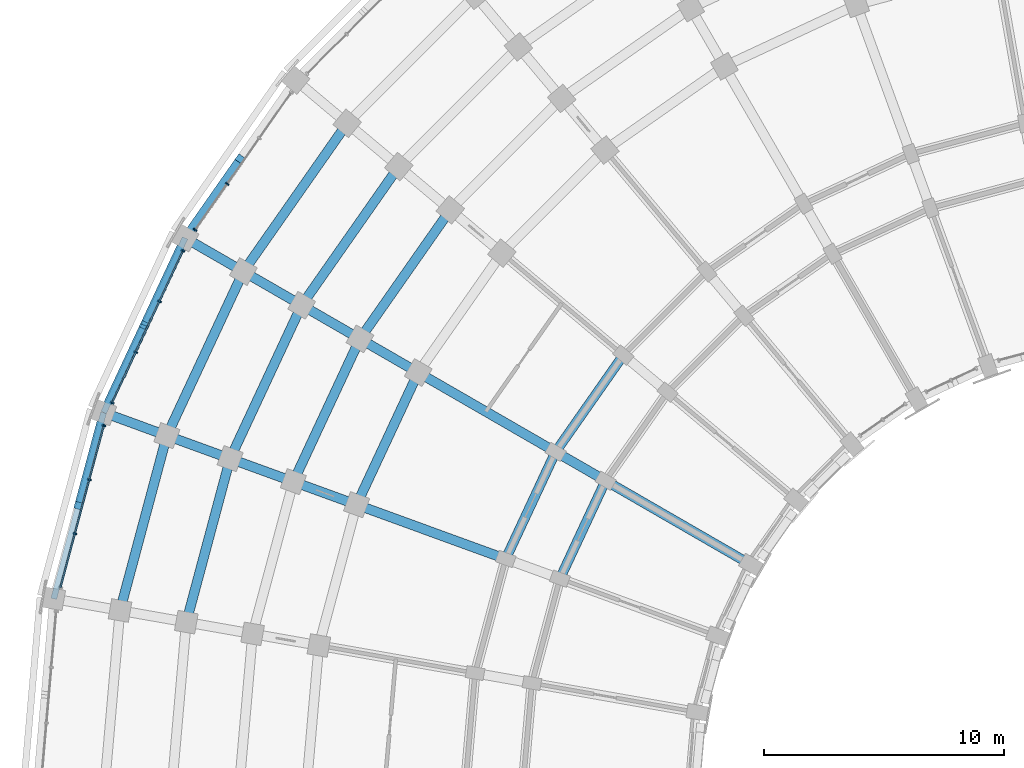
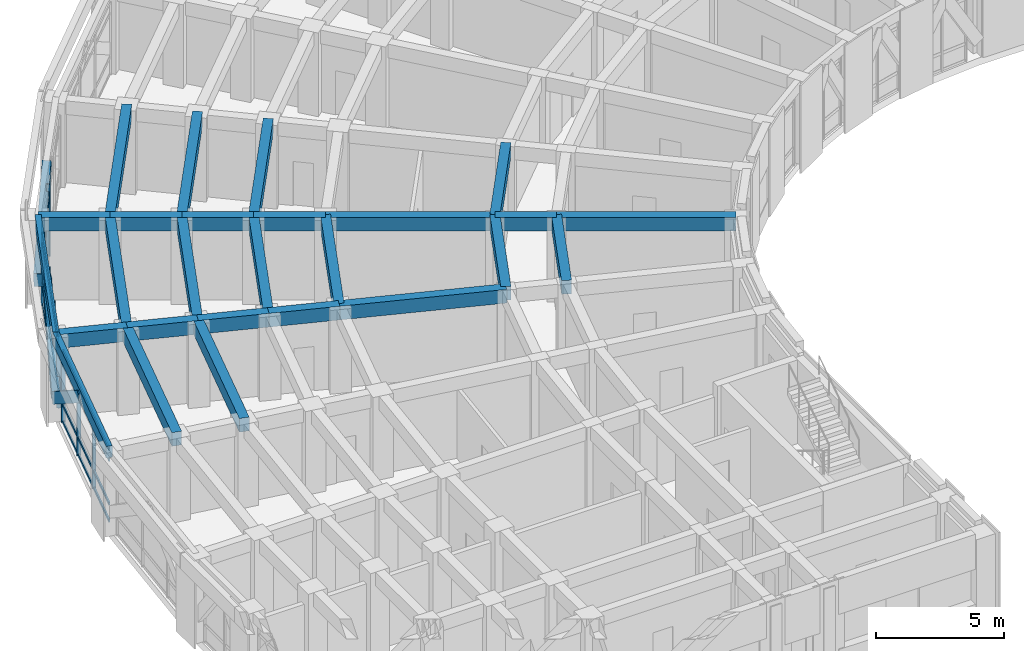
# One storey, part 21 of 97: 30 beams, 17 members, 3 elements without a shape of their own.
"""IFC4 building model written with IfcOpenShell, lengths in metres."""

from ifc_helpers import new_model, si_unit, direction, frame, origin, origin_2d, place, context, subcontext, project, spatial, rectangle, extrude, material, material_profile, profile_set, type_object, element, aggregate, save


model = new_model("IFC4")

# Units and contexts
model_context = context("Model", 3, precision=1e-05, world=origin(), true_north=direction((0.0, 1.0)))
body_context = subcontext(model_context, "Body", "Model", "MODEL_VIEW")
ifc_project = project(units=[si_unit("LENGTHUNIT", "METRE"), si_unit("AREAUNIT", "SQUARE_METRE"), si_unit("VOLUMEUNIT", "CUBIC_METRE"), si_unit("PLANEANGLEUNIT", "RADIAN"), si_unit("MASSUNIT", "GRAM", prefix="KILO")], contexts=[model_context])

# Site, building, storey
site_placement = place(None, origin())
site = spatial("IfcSite", under=ifc_project, at=site_placement, CompositionType="ELEMENT")
building_placement = place(site_placement, origin())
building = spatial("IfcBuilding", under=site, at=building_placement, Name="Kiranvali Square Residences", CompositionType="ELEMENT")
storey_placement = place(building_placement, frame((0.0, 0.0, 4.5)))
storey = spatial("IfcBuildingStorey", under=building, at=storey_placement, Name="L01", CompositionType="ELEMENT", Elevation=4.5)

# Beams
ifc_material_1 = material(Name="Concrete M40 (40 MPa)", Category="concrete")
ifc_material_profile_1 = material_profile(ifc_material_1, rectangle(XDim=0.35009765625, YDim=0.5, at=origin_2d()), Name="RC 350x500")
ifc_profile_set_1 = profile_set([ifc_material_profile_1], Name="Concrete M40 (40 MPa)")
beam_type_1 = type_object("IfcBeamType", Name="AR-M40-350x500", PredefinedType="USERDEFINED", material=ifc_profile_set_1)
beam_1_placement = place(storey_placement, frame((10.662353515625, 114.084228515625, 3.64990234375), z_axis=(-0.47146348297, -0.673345915945, -0.569497551975), x_axis=(0.819162563309, -0.57356141334, 0.0)))
element("IfcBeam", 1, at=beam_1_placement, inside=storey, type_object=beam_type_1, Name="Classical pointed Ottoman arch rib ARCH-A-CRV-7-05.2", ObjectType="ARCH RIB", PredefinedType="USERDEFINED", context=body_context, shape_type="SweptSolid", body=[
    extrude(rectangle(XDim=0.35009765625, YDim=0.5, at=origin_2d()), origin(), (0.0, 0.0, 1.0), 4.828857421875),
])
beam_2_placement = place(storey_placement, frame((8.345947265625, 110.763671875, 0.89990234375), z_axis=(-0.347401853205, -0.744959817365, 0.56951455021), x_axis=(0.906297821759, -0.422639631689, 0.0)))
element("IfcBeam", 2, at=beam_2_placement, inside=storey, type_object=beam_type_1, Name="Classical pointed Ottoman arch rib ARCH-A-CRV-7-06.1", ObjectType="ARCH RIB", PredefinedType="USERDEFINED", context=body_context, shape_type="SweptSolid", body=[
    extrude(rectangle(XDim=0.35009765625, YDim=0.5, at=origin_2d()), origin(), (0.0, 0.0, 1.0), 4.82861328125),
])
for number, where, z_axis, x_axis, name in (
    (3, (6.66845703125, 107.16650390625, 3.64990234375), (-0.347388768396, -0.744982317322, -0.56949309958), (0.906308808134, -0.422616071984, 0.0), "Classical pointed Ottoman arch rib ARCH-A-CRV-7-06.2"),
    (4, (4.9638671875, 103.494384765625, 0.89990234375), (-0.212753144827, -0.793981793339, 0.56949891239), (0.965923890569, -0.2588262692, 0.0), "Classical pointed Ottoman arch rib ARCH-A-CRV-7-07.1"),
):
    element("IfcBeam", number, at=place(storey_placement, frame(where, z_axis=z_axis, x_axis=x_axis)), inside=storey, type_object=beam_type_1, Name=name, ObjectType="ARCH RIB", PredefinedType="USERDEFINED", context=body_context, shape_type="SweptSolid", body=[
        extrude(rectangle(XDim=0.35009765625, YDim=0.5, at=origin_2d()), origin(), (0.0, 0.0, 1.0), 4.828857421875),
    ])
ifc_material_2 = material(Name="Concrete M45 (45 MPa)", Category="concrete")
ifc_material_profile_2 = material_profile(ifc_material_2, rectangle(XDim=0.39990234375, YDim=0.64990234375, at=origin_2d()), Name="RC 400x650")
ifc_profile_set_2 = profile_set([ifc_material_profile_2], Name="Concrete M45 (45 MPa)")
beam_type_2 = type_object("IfcBeamType", Name="BM-M45-400x650", PredefinedType="BEAM", material=ifc_profile_set_2)
beam_3_placement = place(storey_placement, frame((26.59765625, 105.926513671875, 3.655029296875), z_axis=(-0.573592335331, -0.819140911474, 0.0), x_axis=(0.819140911474, -0.573592335331, 0.0)))
element("IfcBeam", 5, at=beam_3_placement, inside=storey, type_object=beam_type_2, Name="L01 beam BM-A-L01-C05-R2", PredefinedType="BEAM", context=body_context, shape_type="SweptSolid", body=[
    extrude(rectangle(XDim=0.39990234375, YDim=0.64990234375, at=origin_2d()), origin(), (0.0, 0.0, 1.0), 4.915771484375),
])
beam_4_placement = place(storey_placement, frame((19.396728515625, 111.96875, 3.655029296875), z_axis=(-0.573587340268, -0.819144409176, 0.0), x_axis=(0.819144409176, -0.573587340268, 0.0)))
element("IfcBeam", 6, at=beam_4_placement, inside=storey, type_object=beam_type_2, Name="L01 beam BM-A-L01-C05-R4", PredefinedType="BEAM", context=body_context, shape_type="SweptSolid", body=[
    extrude(rectangle(XDim=0.39990234375, YDim=0.64990234375, at=origin_2d()), origin(), (0.0, 0.0, 1.0), 6.553955078125),
])
beam_5_placement = place(storey_placement, frame((17.251708984375, 113.7685546875, 3.655029296875), z_axis=(-0.57356471828, -0.819160249246, 0.0), x_axis=(0.819160249246, -0.57356471828, 0.0)))
element("IfcBeam", 7, at=beam_5_placement, inside=storey, type_object=beam_type_2, Name="L01 beam BM-A-L01-C05-R5", PredefinedType="BEAM", context=body_context, shape_type="SweptSolid", body=[
    extrude(rectangle(XDim=0.39990234375, YDim=0.64990234375, at=origin_2d()), origin(), (0.0, 0.0, 1.0), 7.0419921875),
])
beam_6_placement = place(storey_placement, frame((15.10693359375, 115.568359375, 3.655029296875), z_axis=(-0.573588539275, -0.819143569597, 0.0), x_axis=(0.819143569597, -0.573588539275, 0.0)))
element("IfcBeam", 8, at=beam_6_placement, inside=storey, type_object=beam_type_2, Name="L01 beam BM-A-L01-C05-R6", PredefinedType="BEAM", context=body_context, shape_type="SweptSolid", body=[
    extrude(rectangle(XDim=0.39990234375, YDim=0.64990234375, at=origin_2d()), origin(), (0.0, 0.0, 1.0), 7.5302734375),
])
beam_7_placement = place(storey_placement, frame((25.8564453125, 100.699951171875, 3.655029296875), z_axis=(-0.422617978463, -0.906307919131, 0.0), x_axis=(0.906307919131, -0.422617978463, 0.0)))
element("IfcBeam", 9, at=beam_7_placement, inside=storey, type_object=beam_type_2, Name="L01 beam BM-A-L01-C06-R1", PredefinedType="BEAM", context=body_context, shape_type="SweptSolid", body=[
    extrude(rectangle(XDim=0.39990234375, YDim=0.64990234375, at=origin_2d()), origin(), (0.0, 0.0, 1.0), 4.497314453125),
])
beam_8_placement = place(storey_placement, frame((23.778076171875, 101.89990234375, 3.655029296875), z_axis=(-0.422629854778, -0.906302381024, 0.0), x_axis=(0.906302381024, -0.422629854778, 0.0)))
element("IfcBeam", 10, at=beam_8_placement, inside=storey, type_object=beam_type_2, Name="L01 beam BM-A-L01-C06-R2", PredefinedType="BEAM", context=body_context, shape_type="SweptSolid", body=[
    extrude(rectangle(XDim=0.39990234375, YDim=0.64990234375, at=origin_2d()), origin(), (0.0, 0.0, 1.0), 4.915283203125),
])
beam_9_placement = place(storey_placement, frame((18.062255859375, 105.199951171875, 3.655029296875), z_axis=(-0.42260781991, -0.906312656069, 0.0), x_axis=(0.906312656069, -0.42260781991, 0.0)))
element("IfcBeam", 11, at=beam_9_placement, inside=storey, type_object=beam_type_2, Name="L01 beam BM-A-L01-C06-R3", PredefinedType="BEAM", context=body_context, shape_type="SweptSolid", body=[
    extrude(rectangle(XDim=0.39990234375, YDim=0.64990234375, at=origin_2d()), origin(), (0.0, 0.0, 1.0), 6.06591796875),
])
beam_10_placement = place(storey_placement, frame((15.637451171875, 106.60009765625, 3.655029296875), z_axis=(-0.422595876255, -0.906318225223, 0.0), x_axis=(0.906318225223, -0.422595876255, 0.0)))
element("IfcBeam", 12, at=beam_10_placement, inside=storey, type_object=beam_type_2, Name="L01 beam BM-A-L01-C06-R4", PredefinedType="BEAM", context=body_context, shape_type="SweptSolid", body=[
    extrude(rectangle(XDim=0.39990234375, YDim=0.64990234375, at=origin_2d()), origin(), (0.0, 0.0, 1.0), 6.55419921875),
])
beam_11_placement = place(storey_placement, frame((13.212646484375, 108.0, 3.655029296875), z_axis=(-0.422640621205, -0.906297360311, 0.0), x_axis=(0.906297360311, -0.422640621205, 0.0)))
element("IfcBeam", 13, at=beam_11_placement, inside=storey, type_object=beam_type_2, Name="L01 beam BM-A-L01-C06-R5", PredefinedType="BEAM", context=body_context, shape_type="SweptSolid", body=[
    extrude(rectangle(XDim=0.39990234375, YDim=0.64990234375, at=origin_2d()), origin(), (0.0, 0.0, 1.0), 7.042236328125),
])
beam_12_placement = place(storey_placement, frame((10.78759765625, 109.39990234375, 3.655029296875), z_axis=(-0.422613886933, -0.90630982703, 0.0), x_axis=(0.90630982703, -0.422613886933, 0.0)))
element("IfcBeam", 14, at=beam_12_placement, inside=storey, type_object=beam_type_2, Name="L01 beam BM-A-L01-C06-R6", PredefinedType="BEAM", context=body_context, shape_type="SweptSolid", body=[
    extrude(rectangle(XDim=0.39990234375, YDim=0.64990234375, at=origin_2d()), origin(), (0.0, 0.0, 1.0), 7.5302734375),
])
beam_13_placement = place(storey_placement, frame((10.236328125, 101.61767578125, 3.655029296875), z_axis=(-0.258799624492, -0.965931029817, 0.0), x_axis=(0.965931029817, -0.258799624492, 0.0)))
element("IfcBeam", 15, at=beam_13_placement, inside=storey, type_object=beam_type_2, Name="L01 beam BM-A-L01-C07-R5", PredefinedType="BEAM", context=body_context, shape_type="SweptSolid", body=[
    extrude(rectangle(XDim=0.39990234375, YDim=0.64990234375, at=origin_2d()), origin(), (0.0, 0.0, 1.0), 7.042236328125),
])
beam_14_placement = place(storey_placement, frame((7.605224609375, 102.5751953125, 3.655029296875), z_axis=(-0.258818733833, -0.965925909693, 0.0), x_axis=(0.965925909693, -0.258818733833, 0.0)))
element("IfcBeam", 16, at=beam_14_placement, inside=storey, type_object=beam_type_2, Name="L01 beam BM-A-L01-C07-R6", PredefinedType="BEAM", context=body_context, shape_type="SweptSolid", body=[
    extrude(rectangle(XDim=0.39990234375, YDim=0.64990234375, at=origin_2d()), origin(), (0.0, 0.0, 1.0), 7.5302734375),
])
beam_15_placement = place(storey_placement, frame((31.918701171875, 97.199951171875, 3.655029296875), z_axis=(-0.866028190633, 0.499995173006, 0.0), x_axis=(-0.499995173006, -0.866028190633, 0.0)))
element("IfcBeam", 17, at=beam_15_placement, inside=storey, type_object=beam_type_2, Name="L01 beam BM-A-L01-RAD06-01", PredefinedType="BEAM", context=body_context, shape_type="SweptSolid", body=[
    extrude(rectangle(XDim=0.39990234375, YDim=0.64990234375, at=origin_2d()), origin(), (0.0, 0.0, 1.0), 7.0),
])
beam_16_placement = place(storey_placement, frame((25.8564453125, 100.699951171875, 3.655029296875), z_axis=(-0.866024647952, 0.500001309137, 0.0), x_axis=(-0.500001309137, -0.866024647952, 0.0)))
element("IfcBeam", 18, at=beam_16_placement, inside=storey, type_object=beam_type_2, Name="L01 beam BM-A-L01-RAD06-12", PredefinedType="BEAM", context=body_context, shape_type="SweptSolid", body=[
    extrude(rectangle(XDim=0.39990234375, YDim=0.64990234375, at=origin_2d()), origin(), (0.0, 0.0, 1.0), 2.39990234375),
])
beam_17_placement = place(storey_placement, frame((23.778076171875, 101.89990234375, 3.655029296875), z_axis=(-0.866024194504, 0.500002094529, 0.0), x_axis=(-0.500002094529, -0.866024194504, 0.0)))
element("IfcBeam", 19, at=beam_17_placement, inside=storey, type_object=beam_type_2, Name="L01 beam BM-A-L01-RAD06-23", PredefinedType="BEAM", context=body_context, shape_type="SweptSolid", body=[
    extrude(rectangle(XDim=0.39990234375, YDim=0.64990234375, at=origin_2d()), origin(), (0.0, 0.0, 1.0), 6.60009765625),
])
beam_18_placement = place(storey_placement, frame((18.062255859375, 105.199951171875, 3.655029296875), z_axis=(-0.865996816683, 0.500049511043, 0.0), x_axis=(-0.500049511043, -0.865996816683, 0.0)))
element("IfcBeam", 20, at=beam_18_placement, inside=storey, type_object=beam_type_2, Name="L01 beam BM-A-L01-RAD06-34", PredefinedType="BEAM", context=body_context, shape_type="SweptSolid", body=[
    extrude(rectangle(XDim=0.39990234375, YDim=0.64990234375, at=origin_2d()), origin(), (0.0, 0.0, 1.0), 2.800048828125),
])
beam_19_placement = place(storey_placement, frame((15.637451171875, 106.60009765625, 3.655029296875), z_axis=(-0.866034573852, 0.49998411664, 0.0), x_axis=(-0.49998411664, -0.866034573852, 0.0)))
element("IfcBeam", 21, at=beam_19_placement, inside=storey, type_object=beam_type_2, Name="L01 beam BM-A-L01-RAD06-45", PredefinedType="BEAM", context=body_context, shape_type="SweptSolid", body=[
    extrude(rectangle(XDim=0.39990234375, YDim=0.64990234375, at=origin_2d()), origin(), (0.0, 0.0, 1.0), 2.7998046875),
])
for number, where, z_axis, x_axis, name in (
    (22, (13.212646484375, 108.0, 3.655029296875), (-0.866056369097, 0.49994636267, 0.0), (-0.49994636267, -0.866056369097, 0.0), "L01 beam BM-A-L01-RAD06-56"),
    (23, (10.78759765625, 109.39990234375, 3.655029296875), (-0.865996816683, 0.500049511043, 0.0), (-0.500049511043, -0.865996816683, 0.0), "L01 beam BM-A-L01-RAD06-67"),
):
    element("IfcBeam", number, at=place(storey_placement, frame(where, z_axis=z_axis, x_axis=x_axis)), inside=storey, type_object=beam_type_2, Name=name, PredefinedType="BEAM", context=body_context, shape_type="SweptSolid", body=[
        extrude(rectangle(XDim=0.39990234375, YDim=0.64990234375, at=origin_2d()), origin(), (0.0, 0.0, 1.0), 2.800048828125),
    ])
beam_20_placement = place(storey_placement, frame((21.70068359375, 97.445068359375, 3.655029296875), z_axis=(-0.939691858249, 0.342022238372, 0.0), x_axis=(-0.342022238372, -0.939691858249, 0.0)))
element("IfcBeam", 24, at=beam_20_placement, inside=storey, type_object=beam_type_2, Name="L01 beam BM-A-L01-RAD07-23", PredefinedType="BEAM", context=body_context, shape_type="SweptSolid", body=[
    extrude(rectangle(XDim=0.39990234375, YDim=0.64990234375, at=origin_2d()), origin(), (0.0, 0.0, 1.0), 6.599853515625),
])
beam_21_placement = place(storey_placement, frame((15.498779296875, 99.702392578125, 3.655029296875), z_axis=(-0.93970683422, 0.341981089711, 0.0), x_axis=(-0.341981089711, -0.93970683422, 0.0)))
element("IfcBeam", 25, at=beam_21_placement, inside=storey, type_object=beam_type_2, Name="L01 beam BM-A-L01-RAD07-34", PredefinedType="BEAM", context=body_context, shape_type="SweptSolid", body=[
    extrude(rectangle(XDim=0.39990234375, YDim=0.64990234375, at=origin_2d()), origin(), (0.0, 0.0, 1.0), 2.7998046875),
])
beam_22_placement = place(storey_placement, frame((12.86767578125, 100.659912109375, 3.655029296875), z_axis=(-0.939689011208, 0.342030060398, 0.0), x_axis=(-0.342030060398, -0.939689011208, 0.0)))
element("IfcBeam", 26, at=beam_22_placement, inside=storey, type_object=beam_type_2, Name="L01 beam BM-A-L01-RAD07-45", PredefinedType="BEAM", context=body_context, shape_type="SweptSolid", body=[
    extrude(rectangle(XDim=0.39990234375, YDim=0.64990234375, at=origin_2d()), origin(), (0.0, 0.0, 1.0), 2.80029296875),
])
beam_23_placement = place(storey_placement, frame((10.236328125, 101.61767578125, 3.655029296875), z_axis=(-0.93970683422, 0.341981089711, 0.0), x_axis=(-0.341981089711, -0.93970683422, 0.0)))
element("IfcBeam", 27, at=beam_23_placement, inside=storey, type_object=beam_type_2, Name="L01 beam BM-A-L01-RAD07-56", PredefinedType="BEAM", context=body_context, shape_type="SweptSolid", body=[
    extrude(rectangle(XDim=0.39990234375, YDim=0.64990234375, at=origin_2d()), origin(), (0.0, 0.0, 1.0), 2.7998046875),
])
beam_24_placement = place(storey_placement, frame((7.605224609375, 102.5751953125, 3.655029296875), z_axis=(-0.939678810556, 0.342058084236, 0.0), x_axis=(-0.342058084236, -0.939678810556, 0.0)))
element("IfcBeam", 28, at=beam_24_placement, inside=storey, type_object=beam_type_2, Name="L01 beam BM-A-L01-RAD07-67", PredefinedType="BEAM", context=body_context, shape_type="SweptSolid", body=[
    extrude(rectangle(XDim=0.39990234375, YDim=0.64990234375, at=origin_2d()), origin(), (0.0, 0.0, 1.0), 2.800048828125),
])

# Curtain wall, members
ifc_material_3 = material(Name="Anodised bronze aluminium framing", Category="aluminium")
curtain_wall_type = type_object("IfcCurtainWallType", Name="CW-RET-SHOP", PredefinedType="USERDEFINED", material=ifc_material_3)
curtain_wall_1_placement = place(storey_placement, origin())
curtain_wall_1 = element("IfcCurtainWall", 29, at=curtain_wall_1_placement, inside=storey, type_object=curtain_wall_type, Name="Block A L01 rounded-corner arcade curtain wall 6", ObjectType="CURTAIN WALL", PredefinedType="USERDEFINED")
ifc_material_profile_3 = material_profile(ifc_material_3, rectangle(XDim=0.06494140625, YDim=0.159912109375, at=origin_2d()), Name="ALU 65x160")
ifc_profile_set_3 = profile_set([ifc_material_profile_3], Name="Anodised bronze aluminium framing")
member_type_1 = type_object("IfcMemberType", Name="CW-MUL-160", PredefinedType="MULLION", material=ifc_profile_set_3)
member_1_placement = place(storey_placement, frame((10.1181640625, 113.04541015625, 0.02001953125), z_axis=(0.0, 0.0, 1.0), x_axis=(-0.573576436351, -0.819152044289, 0.0)))
member_1 = element("IfcMember", 30, at=member_1_placement, type_object=member_type_1, Name="CW-A-L01-CRV-05 vertical mullion 3", PredefinedType="MULLION", context=body_context, shape_type="SweptSolid", body=[
    extrude(rectangle(XDim=0.06494140625, YDim=0.159912109375, at=origin_2d()), origin(), (0.0, 0.0, 1.0), 3.43994140625),
])
member_2_placement = place(storey_placement, frame((8.783935546875, 111.139892578125, 0.02001953125), z_axis=(0.0, 0.0, 1.0), x_axis=(-0.573576436351, -0.819152044289, 0.0)))
member_2 = element("IfcMember", 31, at=member_2_placement, type_object=member_type_1, Name="CW-A-L01-CRV-05 vertical mullion 4", PredefinedType="MULLION", context=body_context, shape_type="SweptSolid", body=[
    extrude(rectangle(XDim=0.06494140625, YDim=0.159912109375, at=origin_2d()), origin(), (0.0, 0.0, 1.0), 3.43994140625),
])
aggregate(curtain_wall_1, [member_1, member_2])

curtain_wall_2_placement = place(storey_placement, origin())
curtain_wall_2 = element("IfcCurtainWall", 32, at=curtain_wall_2_placement, inside=storey, type_object=curtain_wall_type, Name="Block A L01 rounded-corner arcade curtain wall 7", ObjectType="CURTAIN WALL", PredefinedType="USERDEFINED")
member_3_placement = place(storey_placement, frame((8.279052734375, 110.265380859375, 0.02001953125), z_axis=(0.0, 0.0, 1.0), x_axis=(-0.422618261741, -0.906307787037, 0.0)))
member_3 = element("IfcMember", 33, at=member_3_placement, type_object=member_type_1, Name="CW-A-L01-CRV-06 vertical mullion 1", PredefinedType="MULLION", context=body_context, shape_type="SweptSolid", body=[
    extrude(rectangle(XDim=0.06494140625, YDim=0.159912109375, at=origin_2d()), origin(), (0.0, 0.0, 1.0), 3.43994140625),
])
member_4_placement = place(storey_placement, frame((7.2958984375, 108.1572265625, 0.02001953125), z_axis=(0.0, 0.0, 1.0), x_axis=(-0.422618261741, -0.906307787037, 0.0)))
member_4 = element("IfcMember", 34, at=member_4_placement, type_object=member_type_1, Name="CW-A-L01-CRV-06 vertical mullion 2", PredefinedType="MULLION", context=body_context, shape_type="SweptSolid", body=[
    extrude(rectangle(XDim=0.06494140625, YDim=0.159912109375, at=origin_2d()), origin(), (0.0, 0.0, 1.0), 3.43994140625),
])
member_5_placement = place(storey_placement, frame((6.31298828125, 106.049072265625, 0.02001953125), z_axis=(0.0, 0.0, 1.0), x_axis=(-0.422618261741, -0.906307787037, 0.0)))
member_5 = element("IfcMember", 35, at=member_5_placement, type_object=member_type_1, Name="CW-A-L01-CRV-06 vertical mullion 3", PredefinedType="MULLION", context=body_context, shape_type="SweptSolid", body=[
    extrude(rectangle(XDim=0.06494140625, YDim=0.159912109375, at=origin_2d()), origin(), (0.0, 0.0, 1.0), 3.43994140625),
])
member_6_placement = place(storey_placement, frame((5.329833984375, 103.94091796875, 0.02001953125), z_axis=(0.0, 0.0, 1.0), x_axis=(-0.422618261741, -0.906307787037, 0.0)))
member_6 = element("IfcMember", 36, at=member_6_placement, type_object=member_type_1, Name="CW-A-L01-CRV-06 vertical mullion 4", PredefinedType="MULLION", context=body_context, shape_type="SweptSolid", body=[
    extrude(rectangle(XDim=0.06494140625, YDim=0.159912109375, at=origin_2d()), origin(), (0.0, 0.0, 1.0), 3.43994140625),
])

curtain_wall_3_placement = place(storey_placement, origin())
curtain_wall_3 = element("IfcCurtainWall", 37, at=curtain_wall_3_placement, inside=storey, type_object=curtain_wall_type, Name="Block A L01 rounded-corner arcade curtain wall 8", ObjectType="CURTAIN WALL", PredefinedType="USERDEFINED")
member_7_placement = place(storey_placement, frame((4.984375, 102.99169921875, 0.02001953125), z_axis=(0.0, 0.0, 1.0), x_axis=(-0.258819045103, -0.965925826289, 0.0)))
member_7 = element("IfcMember", 38, at=member_7_placement, type_object=member_type_1, Name="CW-A-L01-CRV-07 vertical mullion 1", PredefinedType="MULLION", context=body_context, shape_type="SweptSolid", body=[
    extrude(rectangle(XDim=0.06494140625, YDim=0.159912109375, at=origin_2d()), origin(), (0.0, 0.0, 1.0), 3.43994140625),
])
member_8_placement = place(storey_placement, frame((4.38232421875, 100.744873046875, 0.02001953125), z_axis=(0.0, 0.0, 1.0), x_axis=(-0.258819045103, -0.965925826289, 0.0)))
member_8 = element("IfcMember", 39, at=member_8_placement, type_object=member_type_1, Name="CW-A-L01-CRV-07 vertical mullion 2", PredefinedType="MULLION", context=body_context, shape_type="SweptSolid", body=[
    extrude(rectangle(XDim=0.06494140625, YDim=0.159912109375, at=origin_2d()), origin(), (0.0, 0.0, 1.0), 3.43994140625),
])
member_9_placement = place(storey_placement, frame((3.7802734375, 98.498046875, 0.02001953125), z_axis=(0.0, 0.0, 1.0), x_axis=(-0.258819045103, -0.965925826289, 0.0)))
member_9 = element("IfcMember", 40, at=member_9_placement, type_object=member_type_1, Name="CW-A-L01-CRV-07 vertical mullion 3", PredefinedType="MULLION", context=body_context, shape_type="SweptSolid", body=[
    extrude(rectangle(XDim=0.06494140625, YDim=0.159912109375, at=origin_2d()), origin(), (0.0, 0.0, 1.0), 3.43994140625),
])

# Member
ifc_material_profile_4 = material_profile(ifc_material_3, rectangle(XDim=0.06494140625, YDim=0.139892578125, at=origin_2d()), Name="ALU 65x140")
ifc_profile_set_4 = profile_set([ifc_material_profile_4], Name="Anodised bronze aluminium framing")
member_type_2 = type_object("IfcMemberType", Name="CW-TRN-140", PredefinedType="MULLION", material=ifc_profile_set_4)
member_10_placement = place(storey_placement, frame((8.27490234375, 110.25634765625, 0.0400390625), z_axis=(-0.422641515237, -0.90629694339, 0.0), x_axis=(0.90629694339, -0.422641515237, 0.0)))
member_10 = element("IfcMember", 41, at=member_10_placement, type_object=member_type_2, Name="CW-A-L01-CRV-06 horizontal transom 1", PredefinedType="MULLION", context=body_context, shape_type="SweptSolid", body=[
    extrude(rectangle(XDim=0.06494140625, YDim=0.139892578125, at=origin_2d()), origin(), (0.0, 0.0, 1.0), 6.95849609375),
])

member_11_placement = place(storey_placement, frame((8.27490234375, 110.25634765625, 0.85009765625), z_axis=(-0.422641515237, -0.90629694339, 0.0), x_axis=(0.90629694339, -0.422641515237, 0.0)))
member_11 = element("IfcMember", 42, at=member_11_placement, type_object=member_type_2, Name="CW-A-L01-CRV-06 horizontal transom 2", PredefinedType="MULLION", context=body_context, shape_type="SweptSolid", body=[
    extrude(rectangle(XDim=0.06494140625, YDim=0.139892578125, at=origin_2d()), origin(), (0.0, 0.0, 1.0), 6.95849609375),
])

member_12_placement = place(storey_placement, frame((8.27490234375, 110.25634765625, 2.929931640625), z_axis=(-0.422641515237, -0.90629694339, 0.0), x_axis=(0.90629694339, -0.422641515237, 0.0)))
member_12 = element("IfcMember", 43, at=member_12_placement, type_object=member_type_2, Name="CW-A-L01-CRV-06 horizontal transom 3", PredefinedType="MULLION", context=body_context, shape_type="SweptSolid", body=[
    extrude(rectangle(XDim=0.06494140625, YDim=0.139892578125, at=origin_2d()), origin(), (0.0, 0.0, 1.0), 6.95849609375),
])

member_13_placement = place(storey_placement, frame((8.27490234375, 110.25634765625, 3.43994140625), z_axis=(-0.422641515237, -0.90629694339, 0.0), x_axis=(0.90629694339, -0.422641515237, 0.0)))
member_13 = element("IfcMember", 44, at=member_13_placement, type_object=member_type_2, Name="CW-A-L01-CRV-06 horizontal transom 4", PredefinedType="MULLION", context=body_context, shape_type="SweptSolid", body=[
    extrude(rectangle(XDim=0.06494140625, YDim=0.139892578125, at=origin_2d()), origin(), (0.0, 0.0, 1.0), 6.95849609375),
])

aggregate(curtain_wall_2, [member_3, member_4, member_5, member_6, member_10, member_11, member_12, member_13])

member_14_placement = place(storey_placement, frame((4.98193359375, 102.982177734375, 0.0400390625), z_axis=(-0.258830788495, -0.96592267958, 0.0), x_axis=(0.96592267958, -0.258830788495, 0.0)))
member_14 = element("IfcMember", 45, at=member_14_placement, type_object=member_type_2, Name="CW-A-L01-CRV-07 horizontal transom 1", PredefinedType="MULLION", context=body_context, shape_type="SweptSolid", body=[
    extrude(rectangle(XDim=0.06494140625, YDim=0.139892578125, at=origin_2d()), origin(), (0.0, 0.0, 1.0), 6.958251953125),
])

member_15_placement = place(storey_placement, frame((4.98193359375, 102.982177734375, 0.85009765625), z_axis=(-0.258830788495, -0.96592267958, 0.0), x_axis=(0.96592267958, -0.258830788495, 0.0)))
member_15 = element("IfcMember", 46, at=member_15_placement, type_object=member_type_2, Name="CW-A-L01-CRV-07 horizontal transom 2", PredefinedType="MULLION", context=body_context, shape_type="SweptSolid", body=[
    extrude(rectangle(XDim=0.06494140625, YDim=0.139892578125, at=origin_2d()), origin(), (0.0, 0.0, 1.0), 6.958251953125),
])

member_16_placement = place(storey_placement, frame((4.98193359375, 102.982177734375, 2.929931640625), z_axis=(-0.258830788495, -0.96592267958, 0.0), x_axis=(0.96592267958, -0.258830788495, 0.0)))
member_16 = element("IfcMember", 47, at=member_16_placement, type_object=member_type_2, Name="CW-A-L01-CRV-07 horizontal transom 3", PredefinedType="MULLION", context=body_context, shape_type="SweptSolid", body=[
    extrude(rectangle(XDim=0.06494140625, YDim=0.139892578125, at=origin_2d()), origin(), (0.0, 0.0, 1.0), 6.958251953125),
])

member_17_placement = place(storey_placement, frame((4.98193359375, 102.982177734375, 3.43994140625), z_axis=(-0.258830788495, -0.96592267958, 0.0), x_axis=(0.96592267958, -0.258830788495, 0.0)))
member_17 = element("IfcMember", 48, at=member_17_placement, type_object=member_type_2, Name="CW-A-L01-CRV-07 horizontal transom 4", PredefinedType="MULLION", context=body_context, shape_type="SweptSolid", body=[
    extrude(rectangle(XDim=0.06494140625, YDim=0.139892578125, at=origin_2d()), origin(), (0.0, 0.0, 1.0), 6.958251953125),
])

aggregate(curtain_wall_3, [member_7, member_8, member_9, member_14, member_15, member_16, member_17])

# Beams
ifc_material_profile_5 = material_profile(ifc_material_1, rectangle(XDim=0.25, YDim=0.550048828125, at=origin_2d()), Name="RC 250x550")
ifc_profile_set_5 = profile_set([ifc_material_profile_5], Name="Concrete M40 (40 MPa)")
beam_type_3 = type_object("IfcBeamType", Name="SPN-M40-250x550", PredefinedType="SPANDREL", material=ifc_profile_set_5)
for number, where, z_axis, x_axis, name in (
    (49, (8.36279296875, 110.800048828125, 3.705078125), (-0.422615416827, -0.906309113636, 0.0), (0.906309113636, -0.422615416827, 0.0), "L01 beam BM-A-L01-C06-R7"),
    (50, (4.97412109375, 103.532958984375, 3.705078125), (-0.258807108475, -0.96592902462, 0.0), (0.96592902462, -0.258807108475, 0.0), "L01 beam BM-A-L01-C07-R7"),
):
    element("IfcBeam", number, at=place(storey_placement, frame(where, z_axis=z_axis, x_axis=x_axis)), inside=storey, type_object=beam_type_3, Name=name, PredefinedType="SPANDREL", context=body_context, shape_type="SweptSolid", body=[
        extrude(rectangle(XDim=0.25, YDim=0.550048828125, at=origin_2d()), origin(), (0.0, 0.0, 1.0), 8.018310546875),
    ])

save(model, "model.ifc")
